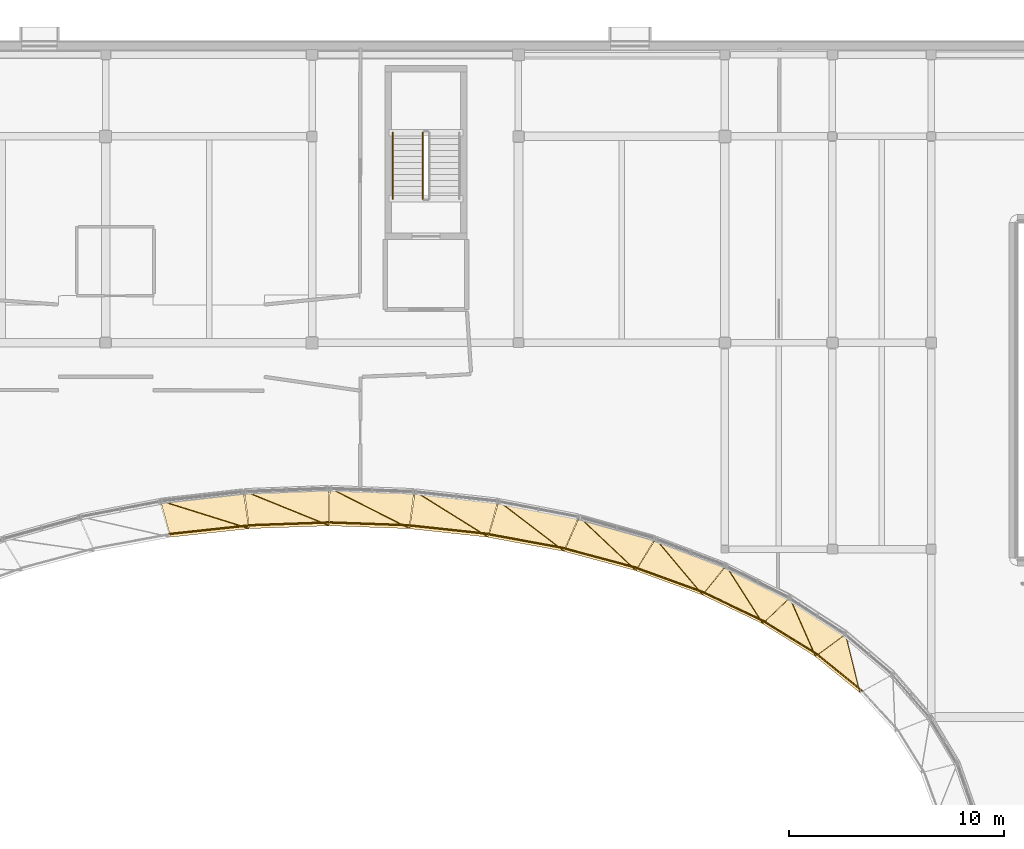
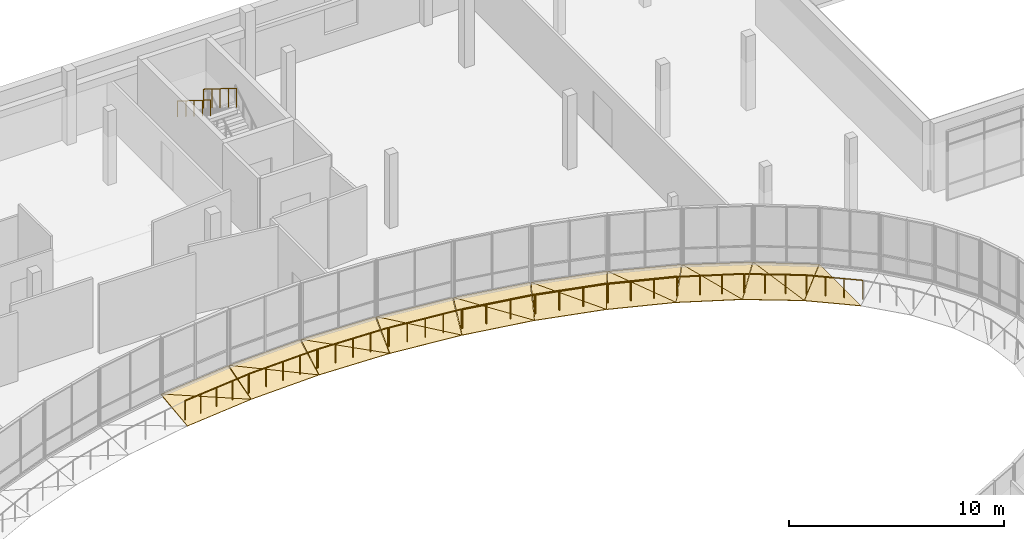
# One storey, part 69 of 73: 19 coverings, 12 railings.
"""IFC4 building model written with IfcOpenShell, lengths in metres."""

from ifc_helpers import new_model, si_unit, direction, frame, origin, origin_2d, place, context, subcontext, project, spatial, polyline, circle, outline, extrude, material, layer, layer_set, type_object, element, save


model = new_model("IFC4")

# Units and contexts
model_context = context("Model", 3, precision=1e-05, world=origin(), true_north=direction((0.0, 1.0)))
body_context = subcontext(model_context, "Body", "Model", "MODEL_VIEW")
ifc_project = project(units=[si_unit("LENGTHUNIT", "METRE"), si_unit("AREAUNIT", "SQUARE_METRE"), si_unit("VOLUMEUNIT", "CUBIC_METRE"), si_unit("PLANEANGLEUNIT", "RADIAN"), si_unit("MASSUNIT", "GRAM", prefix="KILO")], contexts=[model_context])

# Site, building, storey
site_placement = place(None, origin())
site = spatial("IfcSite", under=ifc_project, at=site_placement, CompositionType="ELEMENT")
building_placement = place(site_placement, origin())
building = spatial("IfcBuilding", under=site, at=building_placement, Name="Mzevani Central Library", CompositionType="ELEMENT")
storey_placement = place(building_placement, frame((0.0, 0.0, 9.60009765625)))
storey = spatial("IfcBuildingStorey", under=building, at=storey_placement, Name="L02", CompositionType="ELEMENT", Elevation=9.60009765625)

# Railing
ifc_material_1 = material(Name="Brushed stainless steel rail", Category="steel")
railing_type_1 = type_object("IfcRailingType", Name="Interior Gallery and Stair Guard 1100", PredefinedType="BALUSTRADE", material=ifc_material_1)
railing_1_placement = place(storey_placement, frame((88.35009765625, 109.780029296875, 2.27490234375)))
element("IfcRailing", 1, at=railing_1_placement, inside=storey, type_object=railing_type_1, Name="L02 ST-06 stair guard 3", PredefinedType="BALUSTRADE", context=body_context, shape_type="SweptSolid", body=[
    extrude(circle(Radius=0.02392578125, at=origin_2d()), frame((0.0, 0.0, 1.076171875), z_axis=(0.0, -0.847998304005, 0.529998940003), x_axis=(1.0, 0.0, 0.0)), (0.0, 0.0, 1.0), 3.632080078125),
    extrude(circle(Radius=0.02099609375, at=origin_2d()), origin(), (0.0, 0.0, 1.0), 1.052001953125),
    extrude(circle(Radius=0.02099609375, at=origin_2d()), frame((0.0, -0.77001953125, 0.481201171875)), (0.0, 0.0, 1.0), 1.052001953125),
    extrude(circle(Radius=0.02099609375, at=origin_2d()), frame((0.0, -1.5400390625, 0.96240234375)), (0.0, 0.0, 1.0), 1.052001953125),
    extrude(circle(Radius=0.02099609375, at=origin_2d()), frame((0.0, -2.31005859375, 1.44384765625)), (0.0, 0.0, 1.0), 1.052001953125),
    extrude(circle(Radius=0.02099609375, at=origin_2d()), frame((0.0, -3.080078125, 1.925048828125)), (0.0, 0.0, 1.0), 1.052001953125),
])

# Coverings
ifc_material_2 = material(Name="Limestone ashlar cladding", Category="masonry")
ifc_layer = layer(ifc_material_2, 0.050048828125, Name="Limestone Ashlar Spandrel Cladding")
ifc_layer_set = layer_set([ifc_layer], Name="Limestone ashlar cladding")
covering_type = type_object("IfcCoveringType", Name="Limestone Ashlar Spandrel Cladding", PredefinedType="CLADDING", material=ifc_layer_set)
covering_1_placement = place(storey_placement, frame((108.67041015625, 83.7333984375, -0.280029296875), z_axis=(-0.313297171416, -0.385757979486, 0.867776275111), x_axis=(-0.776243179452, 0.63043360186, 0.0)))
element("IfcCovering", 2, at=covering_1_placement, inside=storey, type_object=covering_type, Name="L02 Curved Court Spandrel Apron 5A", PredefinedType="CLADDING", context=body_context, shape_type="SweptSolid", body=[
    extrude(outline(polyline([(0.0, 0.0), (2.6589152708638646, 0.0), (2.2156245628765685, -1.9316855901920125), (0.0, 0.0)])), origin(), (0.0, 0.0, -1.0), 0.06005859375),
])
covering_2_placement = place(storey_placement, frame((106.603515625, 85.416748046875, -0.280029296875), z_axis=(-0.261665279031, -0.422819736595, 0.867614402886), x_axis=(-0.850337388032, 0.526237899162, 0.0)))
element("IfcCovering", 3, at=covering_2_placement, inside=storey, type_object=covering_type, Name="L02 Curved Court Spandrel Apron 6A", PredefinedType="CLADDING", context=body_context, shape_type="SweptSolid", body=[
    extrude(outline(polyline([(0.0, 0.0), (2.8805776684630735, -2.220446049250313e-16), (2.4379757946272083, -1.9305879209448535), (0.0, 0.0)])), origin(), (0.0, 0.0, -1.0), 0.06005859375),
])
covering_3_placement = place(storey_placement, frame((106.603515625, 85.416748046875, -0.280029296875), z_axis=(-0.276015295902, -0.426851029618, 0.861169991896), x_axis=(-0.383191185102, 0.87056075632, 0.308688330224)))
element("IfcCovering", 4, at=covering_3_placement, inside=storey, type_object=covering_type, Name="L02 Curved Court Spandrel Apron 6B", PredefinedType="CLADDING", context=body_context, shape_type="SweptSolid", body=[
    extrude(outline(polyline([(0.0, 0.0), (3.1098063759157646, 3.3306690738754696e-16), (0.6618051447707292, -1.8711467319723285), (0.0, 0.0)])), origin(), (0.0, 0.0, -1.0), 0.06005859375),
])
covering_4_placement = place(storey_placement, frame((104.14990234375, 86.940185546875, -0.280029296875), z_axis=(-0.212986648202, -0.447487099254, 0.868557415309), x_axis=(-0.902940744527, 0.429765065905, 0.0)))
element("IfcCovering", 5, at=covering_4_placement, inside=storey, type_object=covering_type, Name="L02 Curved Court Spandrel Apron 7A", PredefinedType="CLADDING", context=body_context, shape_type="SweptSolid", body=[
    extrude(outline(polyline([(0.0, 0.0), (3.093191626280768, -2.220446049250313e-16), (2.683443558481314, -1.9370119162523176), (0.0, 0.0)])), origin(), (0.0, 0.0, -1.0), 0.06005859375),
])
covering_5_placement = place(storey_placement, frame((104.14990234375, 86.940185546875, -0.280029296875), z_axis=(-0.225368353983, -0.453174136086, 0.862462931033), x_axis=(-0.51365579639, 0.807479010095, 0.290060978229)))
element("IfcCovering", 6, at=covering_5_placement, inside=storey, type_object=covering_type, Name="L02 Curved Court Spandrel Apron 7B", PredefinedType="CLADDING", context=body_context, shape_type="SweptSolid", body=[
    extrude(outline(polyline([(0.0, 0.0), (3.309514238564072, -3.885780586188048e-16), (0.6092019460721081, -1.8884735156535637), (0.0, 0.0)])), origin(), (0.0, 0.0, -1.0), 0.06005859375),
])
covering_6_placement = place(storey_placement, frame((101.350830078125, 88.27783203125, -0.280029296875), z_axis=(-0.167983898286, -0.463200587885, 0.870187695443), x_axis=(-0.940088141141, 0.340931498819, 0.0)))
element("IfcCovering", 7, at=covering_6_placement, inside=storey, type_object=covering_type, Name="L02 Curved Court Spandrel Apron 8A", PredefinedType="CLADDING", context=body_context, shape_type="SweptSolid", body=[
    extrude(outline(polyline([(0.0, 0.0), (3.2854611304077723, 2.220446049250313e-16), (2.9337021941387196, -1.9482874523607592), (0.0, 0.0)])), origin(), (0.0, 0.0, -1.0), 0.06005859375),
])
covering_7_placement = place(storey_placement, frame((101.350830078125, 88.27783203125, -0.280029296875), z_axis=(-0.177929514091, -0.469559641846, 0.864786002873), x_axis=(-0.618998273782, 0.736572590316, 0.272583851776)))
element("IfcCovering", 8, at=covering_7_placement, inside=storey, type_object=covering_type, Name="L02 Curved Court Spandrel Apron 8B", PredefinedType="CLADDING", context=body_context, shape_type="SweptSolid", body=[
    extrude(outline(polyline([(0.0, 0.0), (3.5217087558344056, -5.551115123125783e-16), (0.5914605800074694, -1.894025755616434), (0.0, 0.0)])), origin(), (0.0, 0.0, -1.0), 0.06005859375),
])
covering_8_placement = place(storey_placement, frame((98.25390625, 89.40673828125, -0.280029296875), z_axis=(-0.126510933268, -0.472753205452, 0.872066161767), x_axis=(-0.966008995784, 0.258508452598, 0.0)))
element("IfcCovering", 9, at=covering_8_placement, inside=storey, type_object=covering_type, Name="L02 Curved Court Spandrel Apron 9A", PredefinedType="CLADDING", context=body_context, shape_type="SweptSolid", body=[
    extrude(outline(polyline([(0.0, 0.0), (3.449022859948867, 0.0), (3.175637176252234, -1.9615539155147563), (0.0, 0.0)])), origin(), (0.0, 0.0, -1.0), 0.06005859375),
])
covering_9_placement = place(storey_placement, frame((98.25390625, 89.40673828125, -0.280029296875), z_axis=(-0.133901664719, -0.478870354402, 0.867613697368), x_axis=(-0.70339237913, 0.662643499438, 0.257182335386)))
element("IfcCovering", 10, at=covering_9_placement, inside=storey, type_object=covering_type, Name="L02 Curved Court Spandrel Apron 9B", PredefinedType="CLADDING", context=body_context, shape_type="SweptSolid", body=[
    extrude(outline(polyline([(0.0, 0.0), (3.7326083693131444, -5.551115123125783e-17), (0.6048689933932431, -1.890201091000881), (0.0, 0.0)])), origin(), (0.0, 0.0, -1.0), 0.06005859375),
])
covering_10_placement = place(storey_placement, frame((94.91064453125, 90.306884765625, -0.280029296875), z_axis=(-0.088117395966, -0.478223562515, 0.873806356571), x_axis=(-0.983444547385, 0.181209332591, 0.0)))
element("IfcCovering", 11, at=covering_10_placement, inside=storey, type_object=covering_type, Name="L02 Curved Court Spandrel Apron 10A", PredefinedType="CLADDING", context=body_context, shape_type="SweptSolid", body=[
    extrude(outline(polyline([(0.0, 0.0), (3.577041811841854, 0.0), (3.3983879339540835, -1.9741150869311932), (0.0, 0.0)])), origin(), (0.0, 0.0, -1.0), 0.06005859375),
])
covering_11_placement = place(storey_placement, frame((94.91064453125, 90.306884765625, -0.280029296875), z_axis=(-0.093032239011, -0.483291368597, 0.870502415588), x_axis=(-0.770843861643, 0.588336063633, 0.24425482021)))
element("IfcCovering", 12, at=covering_11_placement, inside=storey, type_object=covering_type, Name="L02 Curved Court Spandrel Apron 10B", PredefinedType="CLADDING", context=body_context, shape_type="SweptSolid", body=[
    extrude(outline(polyline([(0.0, 0.0), (3.9301616921055618, -1.6653345369377348e-16), (0.6448005874871986, -1.8780940729825715), (0.0, 0.0)])), origin(), (0.0, 0.0, -1.0), 0.06005859375),
])
covering_12_placement = place(storey_placement, frame((91.3779296875, 90.96240234375, -0.280029296875), z_axis=(-0.051957783757, -0.481294852268, 0.875017516332), x_axis=(-0.994223391298, 0.107330555745, 0.0)))
element("IfcCovering", 13, at=covering_12_placement, inside=storey, type_object=covering_type, Name="L02 Curved Court Spandrel Apron 11A", PredefinedType="CLADDING", context=body_context, shape_type="SweptSolid", body=[
    extrude(outline(polyline([(0.0, 0.0), (3.664478807041149, 0.0), (3.593469884194453, -1.983016469628396), (0.0, 0.0)])), origin(), (0.0, 0.0, -1.0), 0.06005859375),
])
covering_13_placement = place(storey_placement, frame((91.3779296875, 90.96240234375, -0.280029296875), z_axis=(-0.054665969462, -0.484706978945, 0.872966652481), x_axis=(-0.825101574721, 0.514298047368, 0.23389080757)))
element("IfcCovering", 14, at=covering_13_placement, inside=storey, type_object=covering_type, Name="L02 Curved Court Spandrel Apron 11B", PredefinedType="CLADDING", context=body_context, shape_type="SweptSolid", body=[
    extrude(outline(polyline([(0.0, 0.0), (4.104312381804041, 0.0), (0.7053504058023538, -1.8572394826315783), (0.0, 0.0)])), origin(), (0.0, 0.0, -1.0), 0.06005859375),
])
covering_14_placement = place(storey_placement, frame((87.716552734375, 91.35986328125, -0.280029296875), z_axis=(-0.017179902202, -0.483073398216, 0.875411299274), x_axis=(-0.999368209041, 0.035541282461, 0.0)))
element("IfcCovering", 15, at=covering_14_placement, inside=storey, type_object=covering_type, Name="L02 Curved Court Spandrel Apron 12A", PredefinedType="CLADDING", context=body_context, shape_type="SweptSolid", body=[
    extrude(outline(polyline([(0.0, 0.0), (3.709374799463256, 0.0), (3.75434651541617, -1.9859392928717825), (0.0, 0.0)])), origin(), (0.0, 0.0, -1.0), 0.06005859375),
])
covering_15_placement = place(storey_placement, frame((87.716552734375, 91.35986328125, -0.280029296875), z_axis=(-0.017997150296, -0.484322640256, 0.874704340173), x_axis=(-0.868842586772, 0.44048565944, 0.22601978506)))
element("IfcCovering", 16, at=covering_15_placement, inside=storey, type_object=covering_type, Name="L02 Curved Court Spandrel Apron 12B", PredefinedType="CLADDING", context=body_context, shape_type="SweptSolid", body=[
    extrude(outline(polyline([(0.0, 0.0), (4.2472429448749, 2.220446049250313e-16), (0.7809598144390548, -1.8273806666917551), (0.0, 0.0)])), origin(), (0.0, 0.0, -1.0), 0.06005859375),
])
covering_16_placement = place(storey_placement, frame((83.990478515625, 91.49169921875, -0.280029296875), z_axis=(0.017227300997, -0.484406182095, 0.874673579599), x_axis=(-0.999368209041, -0.035541282461, 0.0)))
element("IfcCovering", 17, at=covering_16_placement, inside=storey, type_object=covering_type, Name="L02 Curved Court Spandrel Apron 13A", PredefinedType="CLADDING", context=body_context, shape_type="SweptSolid", body=[
    extrude(outline(polyline([(0.0, 0.0), (3.709374799463256, 0.0), (3.873497353663545, -1.9804752257905829), (0.0, 0.0)])), origin(), (0.0, 0.0, -1.0), 0.06005859375),
])
covering_17_placement = place(storey_placement, frame((83.990478515625, 91.49169921875, -0.280029296875), z_axis=(0.017950273585, -0.483061137626, 0.875402607372), x_axis=(-0.903960029422, 0.36628675888, 0.220658730798)))
element("IfcCovering", 18, at=covering_17_placement, inside=storey, type_object=covering_type, Name="L02 Curved Court Spandrel Apron 13B", PredefinedType="CLADDING", context=body_context, shape_type="SweptSolid", body=[
    extrude(outline(polyline([(0.0, 0.0), (4.35043260708734, 0.0), (0.8640292858951899, -1.7886952572540897), (0.0, 0.0)])), origin(), (0.0, 0.0, -1.0), 0.06005859375),
])
covering_18_placement = place(storey_placement, frame((80.265380859375, 91.355712890625, -0.280029296875), z_axis=(0.052384233615, -0.485245138571, 0.872807566169), x_axis=(-0.994223391298, -0.107330555745, 0.0)))
element("IfcCovering", 19, at=covering_18_placement, inside=storey, type_object=covering_type, Name="L02 Curved Court Spandrel Apron 14A", PredefinedType="CLADDING", context=body_context, shape_type="SweptSolid", body=[
    extrude(outline(polyline([(0.0, 0.0), (3.664478807041149, 0.0), (3.9442426855231125, -1.9668731182025665), (0.0, 0.0)])), origin(), (0.0, 0.0, -1.0), 0.06005859375),
])
covering_19_placement = place(storey_placement, frame((80.265380859375, 91.355712890625, -0.280029296875), z_axis=(0.054244946737, -0.480973894995, 0.875055197166), x_axis=(-0.931538707862, 0.291199321355, 0.217804019701)))
element("IfcCovering", 20, at=covering_19_placement, inside=storey, type_object=covering_type, Name="L02 Curved Court Spandrel Apron 14B", PredefinedType="CLADDING", context=body_context, shape_type="SweptSolid", body=[
    extrude(outline(polyline([(0.0, 0.0), (4.40745280467193, -2.220446049250313e-16), (0.9484793339520741, -1.7429238477360807), (0.0, 0.0)])), origin(), (0.0, 0.0, -1.0), 0.06005859375),
])

# Railings
railing_type_2 = type_object("IfcRailingType", Name="Stair Wall Handrail 920", PredefinedType="HANDRAIL", material=ifc_material_1)
railing_2_placement = place(storey_placement, frame((86.949951171875, 109.780029296875, 2.27490234375)))
element("IfcRailing", 21, at=railing_2_placement, inside=storey, type_object=railing_type_2, Name="L02 ST-06 stair handrail 2", PredefinedType="HANDRAIL", context=body_context, shape_type="SweptSolid", body=[
    extrude(circle(Radius=0.02392578125, at=origin_2d()), frame((0.0, 0.0, 0.89599609375), z_axis=(0.0, -0.847998304005, 0.529998940003), x_axis=(1.0, 0.0, 0.0)), (0.0, 0.0, 1.0), 3.632080078125),
    extrude(circle(Radius=0.02099609375, at=origin_2d()), origin(), (0.0, 0.0, 1.0), 0.871826171875),
    extrude(circle(Radius=0.02099609375, at=origin_2d()), frame((0.0, -0.77001953125, 0.481201171875)), (0.0, 0.0, 1.0), 0.871826171875),
    extrude(circle(Radius=0.02099609375, at=origin_2d()), frame((0.0, -1.5400390625, 0.96240234375)), (0.0, 0.0, 1.0), 0.871826171875),
    extrude(circle(Radius=0.02099609375, at=origin_2d()), frame((0.0, -2.31005859375, 1.44384765625)), (0.0, 0.0, 1.0), 0.871826171875),
    extrude(circle(Radius=0.02099609375, at=origin_2d()), frame((0.0, -3.080078125, 1.925048828125)), (0.0, 0.0, 1.0), 0.871826171875),
])
ifc_material_3 = material(Name="Anodized architectural bronze")
railing_type_3 = type_object("IfcRailingType", Name="Terrace and Court Balustrade 1100", PredefinedType="BALUSTRADE", material=ifc_material_3)
railing_3_placement = place(storey_placement, frame((108.82080078125, 83.7880859375, 0.0)))
element("IfcRailing", 22, at=railing_3_placement, inside=storey, type_object=railing_type_3, Name="L02 Elliptical Court Terrace Guard 5", PredefinedType="BALUSTRADE", context=body_context, shape_type="SweptSolid", body=[
    extrude(circle(Radius=0.02392578125, at=origin_2d()), frame((0.0, 0.0, 1.076171875), z_axis=(-0.776288113836, 0.630378270816, 0.0), x_axis=(-0.630378270816, -0.776288113836, 0.0)), (0.0, 0.0, 1.0), 2.65869140625),
    extrude(circle(Radius=0.02099609375, at=origin_2d()), origin(), (0.0, 0.0, 1.0), 1.052001953125),
    extrude(circle(Radius=0.02099609375, at=origin_2d()), frame((-0.68798828125, 0.55859375, 0.0)), (0.0, 0.0, 1.0), 1.052001953125),
    extrude(circle(Radius=0.02099609375, at=origin_2d()), frame((-1.3759765625, 1.117431640625, 0.0)), (0.0, 0.0, 1.0), 1.052001953125),
    extrude(circle(Radius=0.02099609375, at=origin_2d()), frame((-2.06396484375, 1.676025390625, 0.0)), (0.0, 0.0, 1.0), 1.052001953125),
])
railing_4_placement = place(storey_placement, frame((106.747802734375, 85.485595703125, 0.0)))
element("IfcRailing", 23, at=railing_4_placement, inside=storey, type_object=railing_type_3, Name="L02 Elliptical Court Terrace Guard 6", PredefinedType="BALUSTRADE", context=body_context, shape_type="SweptSolid", body=[
    extrude(circle(Radius=0.02392578125, at=origin_2d()), frame((0.0, 0.0, 1.076171875), z_axis=(-0.850351844492, 0.526214538538, 0.0), x_axis=(-0.526214538538, -0.850351844492, 0.0)), (0.0, 0.0, 1.0), 2.880126953125),
    extrude(circle(Radius=0.02099609375, at=origin_2d()), origin(), (0.0, 0.0, 1.0), 1.052001953125),
    extrude(circle(Radius=0.02099609375, at=origin_2d()), frame((-0.81640625, 0.505126953125, 0.0)), (0.0, 0.0, 1.0), 1.052001953125),
    extrude(circle(Radius=0.02099609375, at=origin_2d()), frame((-1.6328125, 1.010498046875, 0.0)), (0.0, 0.0, 1.0), 1.052001953125),
    extrude(circle(Radius=0.02099609375, at=origin_2d()), frame((-2.44921875, 1.515625, 0.0)), (0.0, 0.0, 1.0), 1.052001953125),
])
railing_5_placement = place(storey_placement, frame((104.285888671875, 87.0244140625, 0.0)))
element("IfcRailing", 24, at=railing_5_placement, inside=storey, type_object=railing_type_3, Name="L02 Elliptical Court Terrace Guard 7", PredefinedType="BALUSTRADE", context=body_context, shape_type="SweptSolid", body=[
    extrude(circle(Radius=0.02392578125, at=origin_2d()), frame((0.0, 0.0, 1.076171875), z_axis=(-0.902940744527, 0.429765065905, 0.0), x_axis=(-0.429765065905, -0.902940744527, 0.0)), (0.0, 0.0, 1.0), 3.09326171875),
    extrude(circle(Radius=0.02099609375, at=origin_2d()), origin(), (0.0, 0.0, 1.0), 1.052001953125),
    extrude(circle(Radius=0.02099609375, at=origin_2d()), frame((-0.930908203125, 0.443115234375, 0.0)), (0.0, 0.0, 1.0), 1.052001953125),
    extrude(circle(Radius=0.02099609375, at=origin_2d()), frame((-1.862060546875, 0.88623046875, 0.0)), (0.0, 0.0, 1.0), 1.052001953125),
    extrude(circle(Radius=0.02099609375, at=origin_2d()), frame((-2.79296875, 1.329345703125, 0.0)), (0.0, 0.0, 1.0), 1.052001953125),
])
railing_6_placement = place(storey_placement, frame((101.47509765625, 88.378662109375, 0.0)))
element("IfcRailing", 25, at=railing_6_placement, inside=storey, type_object=railing_type_3, Name="L02 Elliptical Court Terrace Guard 8", PredefinedType="BALUSTRADE", context=body_context, shape_type="SweptSolid", body=[
    extrude(circle(Radius=0.02392578125, at=origin_2d()), frame((0.0, 0.0, 1.076171875), z_axis=(-0.940096777535, 0.340907683792, 0.0), x_axis=(-0.340907683792, -0.940096777535, 0.0)), (0.0, 0.0, 1.0), 3.28564453125),
    extrude(circle(Radius=0.02099609375, at=origin_2d()), origin(), (0.0, 0.0, 1.0), 1.052001953125),
    extrude(circle(Radius=0.02099609375, at=origin_2d()), frame((-1.029541015625, 0.373291015625, 0.0)), (0.0, 0.0, 1.0), 1.052001953125),
    extrude(circle(Radius=0.02099609375, at=origin_2d()), frame((-2.059326171875, 0.746826171875, 0.0)), (0.0, 0.0, 1.0), 1.052001953125),
    extrude(circle(Radius=0.02099609375, at=origin_2d()), frame((-3.0888671875, 1.1201171875, 0.0)), (0.0, 0.0, 1.0), 1.052001953125),
])
railing_7_placement = place(storey_placement, frame((98.361328125, 89.525146484375, 0.0)))
element("IfcRailing", 26, at=railing_7_placement, inside=storey, type_object=railing_type_3, Name="L02 Elliptical Court Terrace Guard 9", PredefinedType="BALUSTRADE", context=body_context, shape_type="SweptSolid", body=[
    extrude(circle(Radius=0.02392578125, at=origin_2d()), frame((0.0, 0.0, 1.076171875), z_axis=(-0.966008995784, 0.258508452598, 0.0), x_axis=(-0.258508452598, -0.966008995784, 0.0)), (0.0, 0.0, 1.0), 3.448974609375),
    extrude(circle(Radius=0.02099609375, at=origin_2d()), origin(), (0.0, 0.0, 1.0), 1.052001953125),
    extrude(circle(Radius=0.02099609375, at=origin_2d()), frame((-1.110595703125, 0.297119140625, 0.0)), (0.0, 0.0, 1.0), 1.052001953125),
    extrude(circle(Radius=0.02099609375, at=origin_2d()), frame((-2.22119140625, 0.594482421875, 0.0)), (0.0, 0.0, 1.0), 1.052001953125),
    extrude(circle(Radius=0.02099609375, at=origin_2d()), frame((-3.331787109375, 0.8916015625, 0.0)), (0.0, 0.0, 1.0), 1.052001953125),
])
railing_8_placement = place(storey_placement, frame((94.99560546875, 90.442626953125, 0.0)))
element("IfcRailing", 27, at=railing_8_placement, inside=storey, type_object=railing_type_3, Name="L02 Elliptical Court Terrace Guard 10", PredefinedType="BALUSTRADE", context=body_context, shape_type="SweptSolid", body=[
    extrude(circle(Radius=0.02392578125, at=origin_2d()), frame((0.0, 0.0, 1.076171875), z_axis=(-0.983456708482, 0.181143320446, 0.0), x_axis=(-0.181143320446, -0.983456708482, 0.0)), (0.0, 0.0, 1.0), 3.576904296875),
    extrude(circle(Radius=0.02099609375, at=origin_2d()), origin(), (0.0, 0.0, 1.0), 1.052001953125),
    extrude(circle(Radius=0.02099609375, at=origin_2d()), frame((-1.172607421875, 0.216064453125, 0.0)), (0.0, 0.0, 1.0), 1.052001953125),
    extrude(circle(Radius=0.02099609375, at=origin_2d()), frame((-2.34521484375, 0.431884765625, 0.0)), (0.0, 0.0, 1.0), 1.052001953125),
    extrude(circle(Radius=0.02099609375, at=origin_2d()), frame((-3.517822265625, 0.64794921875, 0.0)), (0.0, 0.0, 1.0), 1.052001953125),
])
railing_9_placement = place(storey_placement, frame((91.43310546875, 91.112548828125, 0.0)))
element("IfcRailing", 28, at=railing_9_placement, inside=storey, type_object=railing_type_3, Name="L02 Elliptical Court Terrace Guard 11", PredefinedType="BALUSTRADE", context=body_context, shape_type="SweptSolid", body=[
    extrude(circle(Radius=0.02392578125, at=origin_2d()), frame((0.0, 0.0, 1.076171875), z_axis=(-0.994224158715, 0.107323446776, 0.0), x_axis=(-0.107323446776, -0.994224158715, 0.0)), (0.0, 0.0, 1.0), 3.664794921875),
    extrude(circle(Radius=0.02099609375, at=origin_2d()), origin(), (0.0, 0.0, 1.0), 1.052001953125),
    extrude(circle(Radius=0.02099609375, at=origin_2d()), frame((-0.910888671875, 0.098388671875, 0.0)), (0.0, 0.0, 1.0), 1.052001953125),
    extrude(circle(Radius=0.02099609375, at=origin_2d()), frame((-1.82177734375, 0.19677734375, 0.0)), (0.0, 0.0, 1.0), 1.052001953125),
    extrude(circle(Radius=0.02099609375, at=origin_2d()), frame((-2.732666015625, 0.294921875, 0.0)), (0.0, 0.0, 1.0), 1.052001953125),
    extrude(circle(Radius=0.02099609375, at=origin_2d()), frame((-3.6435546875, 0.393310546875, 0.0)), (0.0, 0.0, 1.0), 1.052001953125),
])
railing_10_placement = place(storey_placement, frame((87.735595703125, 91.518798828125, 0.0)))
element("IfcRailing", 29, at=railing_10_placement, inside=storey, type_object=railing_type_3, Name="L02 Elliptical Court Terrace Guard 12", PredefinedType="BALUSTRADE", context=body_context, shape_type="SweptSolid", body=[
    extrude(circle(Radius=0.02392578125, at=origin_2d()), frame((0.0, 0.0, 1.076171875), z_axis=(-0.999368125893, 0.035543620364, 0.0), x_axis=(-0.035543620364, -0.999368125893, 0.0)), (0.0, 0.0, 1.0), 3.709228515625),
    extrude(circle(Radius=0.02099609375, at=origin_2d()), origin(), (0.0, 0.0, 1.0), 1.052001953125),
    extrude(circle(Radius=0.02099609375, at=origin_2d()), frame((-0.9267578125, 0.032958984375, 0.0)), (0.0, 0.0, 1.0), 1.052001953125),
    extrude(circle(Radius=0.02099609375, at=origin_2d()), frame((-1.853515625, 0.06591796875, 0.0)), (0.0, 0.0, 1.0), 1.052001953125),
    extrude(circle(Radius=0.02099609375, at=origin_2d()), frame((-2.780029296875, 0.098876953125, 0.0)), (0.0, 0.0, 1.0), 1.052001953125),
    extrude(circle(Radius=0.02099609375, at=origin_2d()), frame((-3.706787109375, 0.1318359375, 0.0)), (0.0, 0.0, 1.0), 1.052001953125),
])
railing_11_placement = place(storey_placement, frame((83.97119140625, 91.650634765625, 0.0)))
element("IfcRailing", 30, at=railing_11_placement, inside=storey, type_object=railing_type_3, Name="L02 Elliptical Court Terrace Guard 13", PredefinedType="BALUSTRADE", context=body_context, shape_type="SweptSolid", body=[
    extrude(circle(Radius=0.02392578125, at=origin_2d()), frame((0.0, 0.0, 1.076171875), z_axis=(-0.999368125893, -0.035543620364, 0.0), x_axis=(0.035543620364, -0.999368125893, 0.0)), (0.0, 0.0, 1.0), 3.709228515625),
    extrude(circle(Radius=0.02099609375, at=origin_2d()), origin(), (0.0, 0.0, 1.0), 1.052001953125),
    extrude(circle(Radius=0.02099609375, at=origin_2d()), frame((-0.9267578125, -0.032958984375, 0.0)), (0.0, 0.0, 1.0), 1.052001953125),
    extrude(circle(Radius=0.02099609375, at=origin_2d()), frame((-1.853515625, -0.06591796875, 0.0)), (0.0, 0.0, 1.0), 1.052001953125),
    extrude(circle(Radius=0.02099609375, at=origin_2d()), frame((-2.780029296875, -0.098876953125, 0.0)), (0.0, 0.0, 1.0), 1.052001953125),
    extrude(circle(Radius=0.02099609375, at=origin_2d()), frame((-3.706787109375, -0.1318359375, 0.0)), (0.0, 0.0, 1.0), 1.052001953125),
])
railing_12_placement = place(storey_placement, frame((80.21044921875, 91.505859375, 0.0)))
element("IfcRailing", 31, at=railing_12_placement, inside=storey, type_object=railing_type_3, Name="L02 Elliptical Court Terrace Guard 14", PredefinedType="BALUSTRADE", context=body_context, shape_type="SweptSolid", body=[
    extrude(circle(Radius=0.02392578125, at=origin_2d()), frame((0.0, 0.0, 1.076171875), z_axis=(-0.994224158715, -0.107323446776, 0.0), x_axis=(0.107323446776, -0.994224158715, 0.0)), (0.0, 0.0, 1.0), 3.664794921875),
    extrude(circle(Radius=0.02099609375, at=origin_2d()), origin(), (0.0, 0.0, 1.0), 1.052001953125),
    extrude(circle(Radius=0.02099609375, at=origin_2d()), frame((-0.910888671875, -0.098388671875, 0.0)), (0.0, 0.0, 1.0), 1.052001953125),
    extrude(circle(Radius=0.02099609375, at=origin_2d()), frame((-1.82177734375, -0.19677734375, 0.0)), (0.0, 0.0, 1.0), 1.052001953125),
    extrude(circle(Radius=0.02099609375, at=origin_2d()), frame((-2.732666015625, -0.294921875, 0.0)), (0.0, 0.0, 1.0), 1.052001953125),
    extrude(circle(Radius=0.02099609375, at=origin_2d()), frame((-3.6435546875, -0.393310546875, 0.0)), (0.0, 0.0, 1.0), 1.052001953125),
])

save(model, "model.ifc")
